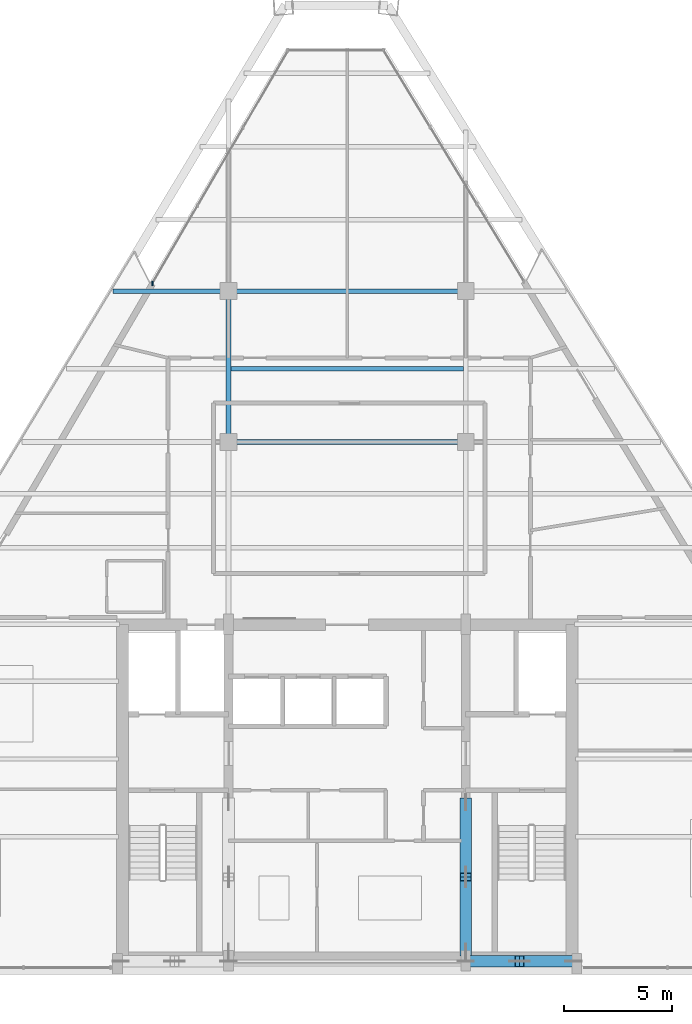
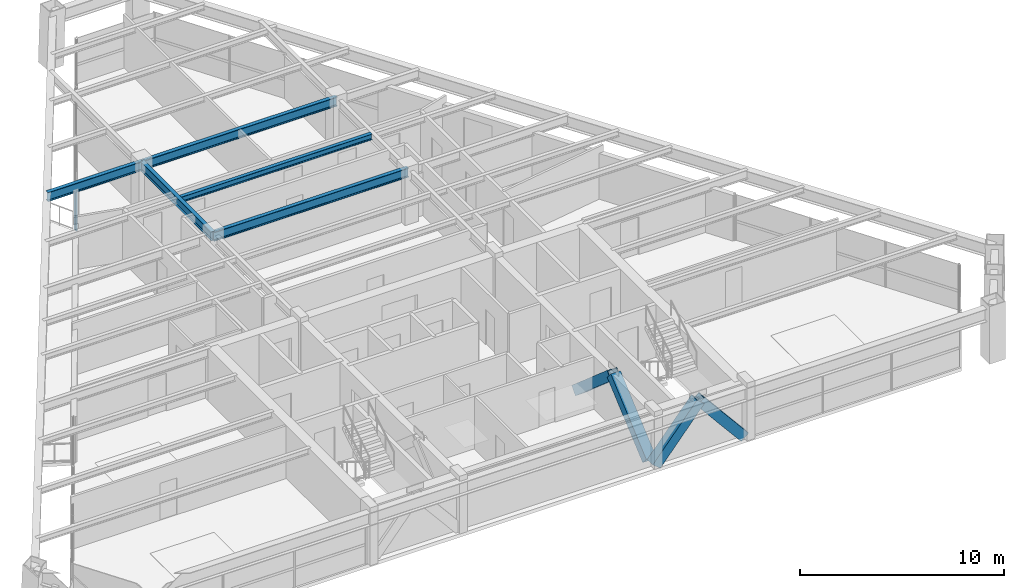
# One storey, part 4 of 13: 6 members, 5 beams, 1 element without a shape of its own.
"""IFC4 building model written with IfcOpenShell, lengths in metres."""

from ifc_helpers import new_model, si_unit, direction, frame, origin, origin_2d, place, context, subcontext, project, spatial, rectangle, hollow_rectangle, i_section, extrude, source, transform, mapped, material, material_profile, profile_set, type_object, element, aggregate, save


model = new_model("IFC4")

# Units and contexts
model_context = context("Model", 3, precision=1e-05, world=origin(), true_north=direction((0.0, 1.0)))
body_context = subcontext(model_context, "Body", "Model", "MODEL_VIEW")
ifc_project = project(units=[si_unit("LENGTHUNIT", "METRE"), si_unit("AREAUNIT", "SQUARE_METRE"), si_unit("VOLUMEUNIT", "CUBIC_METRE"), si_unit("PLANEANGLEUNIT", "RADIAN"), si_unit("MASSUNIT", "GRAM", prefix="KILO")], contexts=[model_context])

# Site, building, storey
site_placement = place(None, origin())
site = spatial("IfcSite", under=ifc_project, at=site_placement, CompositionType="ELEMENT")
building_placement = place(site_placement, origin())
building = spatial("IfcBuilding", under=site, at=building_placement, Name="Varnakhor Terracotta Tower", CompositionType="ELEMENT")
storey_placement = place(building_placement, frame((0.0, 0.0, 254.5)))
storey = spatial("IfcBuildingStorey", under=building, at=storey_placement, Name="L66", CompositionType="ELEMENT", Elevation=254.5)

# Beams
ifc_material_1 = material(Name="Steel S355", Category="steel")
ifc_material_profile_1 = material_profile(ifc_material_1, i_section(OverallWidth=0.214111328125, OverallDepth=0.549072265625, WebThickness=0.014892578125, FlangeThickness=0.02392578125, FilletRadius=0.01806640625, at=origin_2d()), Name="W21X93")
ifc_profile_set_1 = profile_set([ifc_material_profile_1], Name="Steel S355")
beam_type_1 = type_object("IfcBeamType", Name="BM-W21X93", PredefinedType="BEAM", material=ifc_profile_set_1)
shared_shape_1 = source(origin(), body_context, "Body", "SweptSolid", [
    extrude(i_section(OverallWidth=0.214111328125, OverallDepth=0.549072265625, WebThickness=0.014892578125, FlangeThickness=0.02392578125, FilletRadius=0.01806640625, at=origin_2d()), origin(), (0.0, 0.0, 1.0), 7.0),
])
beam_1_placement = place(storey_placement, frame((-5.5, 24.5, 2.87548828125), z_axis=(0.0, 1.0, 0.0), x_axis=(-1.0, 0.0, 0.0)))
element("IfcBeam", 1, at=beam_1_placement, inside=storey, type_object=beam_type_1, Name="L66 Primary Girder NS2-W", PredefinedType="BEAM", context=body_context, shape_type="MappedRepresentation", body=[
    mapped(shared_shape_1, transform((0.0, 0.0, 0.0), scale=1.0)),
])
shared_shape_2 = source(origin(), body_context, "Body", "SweptSolid", [
    extrude(i_section(OverallWidth=0.214111328125, OverallDepth=0.549072265625, WebThickness=0.014892578125, FlangeThickness=0.02392578125, FilletRadius=0.01806640625, at=origin_2d()), origin(), (0.0, 0.0, 1.0), 11.0),
])
for number, where, z_axis, x_axis, name in (
    (2, (-5.5, 24.5, 2.87548828125), (1.0, 0.0, 0.0), (0.0, 1.0, 0.0), "L66 Primary Girder EW2-2"),
    (3, (-5.5, 31.5, 2.87548828125), (1.0, 0.0, 0.0), (0.0, 1.0, 0.0), "L66 Primary Girder EW3-2"),
):
    element("IfcBeam", number, at=place(storey_placement, frame(where, z_axis=z_axis, x_axis=x_axis)), inside=storey, type_object=beam_type_1, Name=name, PredefinedType="BEAM", context=body_context, shape_type="MappedRepresentation", body=[
        mapped(shared_shape_2, transform((0.0, 0.0, 0.0), scale=1.0)),
    ])
ifc_material_profile_2 = material_profile(ifc_material_1, i_section(OverallWidth=0.202880859375, OverallDepth=0.346923828125, WebThickness=0.0078125, FlangeThickness=0.013427734375, FilletRadius=0.01806640625, at=origin_2d()), Name="W14X43")
ifc_profile_set_2 = profile_set([ifc_material_profile_2], Name="Steel S355")
beam_type_2 = type_object("IfcBeamType", Name="JST-W14X43", PredefinedType="JOIST", material=ifc_profile_set_2)
shared_shape_3 = source(origin(), body_context, "Body", "SweptSolid", [
    extrude(i_section(OverallWidth=0.202880859375, OverallDepth=0.346923828125, WebThickness=0.0078125, FlangeThickness=0.013427734375, FilletRadius=0.01806640625, at=origin_2d()), origin(), (0.0, 0.0, 1.0), 10.7939453125),
])
beam_2_placement = place(storey_placement, frame((-5.39697265625, 27.89990234375, 2.9765625), z_axis=(1.0, 0.0, 0.0), x_axis=(0.0, 1.0, 0.0)))
element("IfcBeam", 4, at=beam_2_placement, inside=storey, type_object=beam_type_2, Name="L66 Composite Floor Joist 6-2", PredefinedType="JOIST", context=body_context, shape_type="MappedRepresentation", body=[
    mapped(shared_shape_3, transform((0.0, 0.0, 0.0), scale=1.0)),
])
shared_shape_4 = source(origin(), body_context, "Body", "SweptSolid", [
    extrude(i_section(OverallWidth=0.214111328125, OverallDepth=0.549072265625, WebThickness=0.014892578125, FlangeThickness=0.02392578125, FilletRadius=0.01806640625, at=origin_2d()), origin(), (0.0, 0.0, 1.0), 5.35791015625),
])
beam_3_placement = place(storey_placement, frame((-10.85791015625, 31.5, 2.87548828125), z_axis=(1.0, 0.0, 0.0), x_axis=(0.0, 1.0, 0.0)))
element("IfcBeam", 5, at=beam_3_placement, inside=storey, type_object=beam_type_1, Name="L66 Primary Girder EW3-1", PredefinedType="BEAM", context=body_context, shape_type="MappedRepresentation", body=[
    mapped(shared_shape_4, transform((0.0, 0.0, 0.0), scale=1.0)),
])

# Members
ifc_material_profile_3 = material_profile(ifc_material_1, hollow_rectangle(XDim=0.550048828125, YDim=0.550048828125, WallThickness=0.034912109375, at=origin_2d()), Name="HSS550X550X35")
ifc_profile_set_3 = profile_set([ifc_material_profile_3], Name="Steel S355")
member_type_1 = type_object("IfcMemberType", Name="MBR-MEGA-550", PredefinedType="BRACE", material=ifc_profile_set_3)
shared_shape_5 = source(origin(), body_context, "Body", "SweptSolid", [
    extrude(hollow_rectangle(XDim=0.550048828125, YDim=0.550048828125, WallThickness=0.034912109375, at=origin_2d()), origin(), (0.0, 0.0, 1.0), 3.905029296875),
])
for number, where, z_axis, x_axis, name in (
    (6, (5.5, 0.419921875, 0.0), (0.640184399664, 0.0, 0.768221279597), (0.0, 1.0, 0.0), "L66 Core Coupled Brace CSEA"),
    (7, (10.5, 0.419921875, 0.0), (-0.640184399664, 0.0, 0.768221279597), (0.0, -1.0, 0.0), "L66 Core Coupled Brace CSEB"),
):
    element("IfcMember", number, at=place(storey_placement, frame(where, z_axis=z_axis, x_axis=x_axis)), inside=storey, type_object=member_type_1, Name=name, PredefinedType="BRACE", context=body_context, shape_type="MappedRepresentation", body=[
        mapped(shared_shape_5, transform((0.0, 0.0, 0.0), scale=1.0)),
    ])
shared_shape_6 = source(origin(), body_context, "Body", "SweptSolid", [
    extrude(hollow_rectangle(XDim=0.550048828125, YDim=0.550048828125, WallThickness=0.034912109375, at=origin_2d()), origin(), (0.0, 0.0, 1.0), 4.5908203125),
])
for number, where, z_axis, x_axis, name in (
    (8, (5.5, 0.85009765625, 0.0), (0.0, 0.756931814743, 0.653493862121), (-1.0, 0.0, 0.0), "L66 Core Coupled Brace CWEA"),
    (9, (5.5, 7.800048828125, 0.0), (0.0, -0.756954524742, 0.653467556557), (1.0, 0.0, 0.0), "L66 Core Coupled Brace CWEB"),
):
    element("IfcMember", number, at=place(storey_placement, frame(where, z_axis=z_axis, x_axis=x_axis)), inside=storey, type_object=member_type_1, Name=name, PredefinedType="BRACE", context=body_context, shape_type="MappedRepresentation", body=[
        mapped(shared_shape_6, transform((0.0, 0.0, 0.0), scale=1.0)),
    ])

# Curtain wall, members
ifc_material_2 = material(Name="Anodised Aluminium Curtain Wall System", Category="aluminium")
curtain_wall_type = type_object("IfcCurtainWallType", Name="CW-SYS-HOTEL-LOGGIA", PredefinedType="NOTDEFINED", material=ifc_material_2)
curtain_wall_placement = place(storey_placement, origin())
curtain_wall = element("IfcCurtainWall", 10, at=curtain_wall_placement, inside=storey, type_object=curtain_wall_type, Name="L66 W Facet Curtain Wall 2", PredefinedType="NOTDEFINED")
ifc_material_3 = material(Name="Anodised Aluminium 6063-T6", Category="aluminium")
ifc_material_profile_4 = material_profile(ifc_material_3, rectangle(XDim=0.06494140625, YDim=0.159912109375, at=origin_2d()), Name="ALU MULLION 65x160")
ifc_profile_set_4 = profile_set([ifc_material_profile_4], Name="Anodised Aluminium 6063-T6")
member_type_2 = type_object("IfcMemberType", Name="CWM-04", PredefinedType="MULLION", material=ifc_profile_set_4)
shared_shape_7 = source(origin(), body_context, "Body", "SweptSolid", [
    extrude(rectangle(XDim=0.06494140625, YDim=0.159912109375, at=origin_2d()), origin(), (0.0, 0.0, 1.0), 2.72998046875),
])
member_1_placement = place(storey_placement, frame((-9.03369140625, 31.865234375, 0.0), z_axis=(0.0, 0.0, 1.0), x_axis=(1.0, 0.0, 0.0)))
member_1 = element("IfcMember", 11, at=member_1_placement, type_object=member_type_2, Name="L66 W Facet Curtain Wall 2 Mullion 1", PredefinedType="MULLION", context=body_context, shape_type="MappedRepresentation", body=[
    mapped(shared_shape_7, transform((0.0, 0.0, 0.0), scale=1.0)),
])
member_2_placement = place(storey_placement, frame((-9.031494140625, 31.829345703125, 0.0), z_axis=(0.0, 0.0, 1.0), x_axis=(1.0, 0.0, 0.0)))
member_2 = element("IfcMember", 12, at=member_2_placement, type_object=member_type_2, Name="L66 W Loggia Jamb Closure Mullion 2", PredefinedType="MULLION", context=body_context, shape_type="MappedRepresentation", body=[
    mapped(shared_shape_7, transform((0.0, 0.0, 0.0), scale=1.0)),
])
aggregate(curtain_wall, [member_1, member_2])

save(model, "model.ifc")
